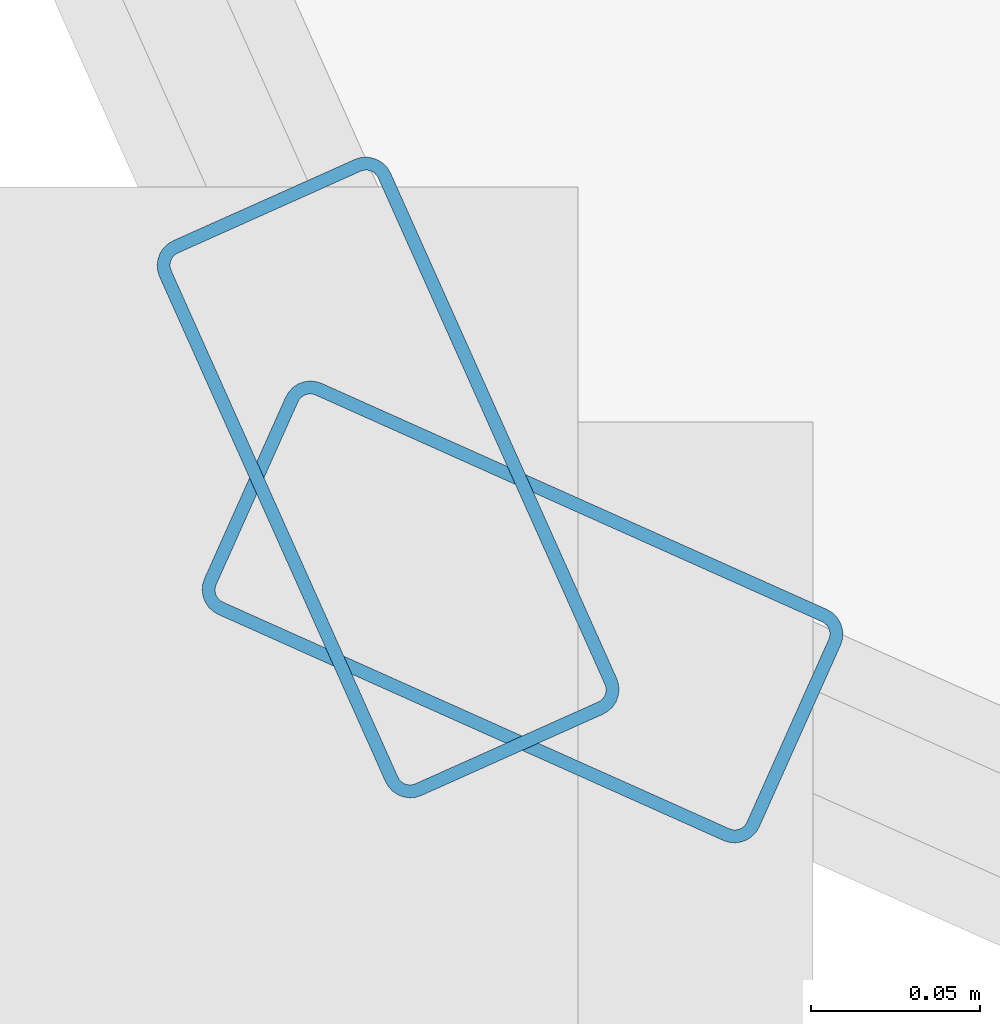
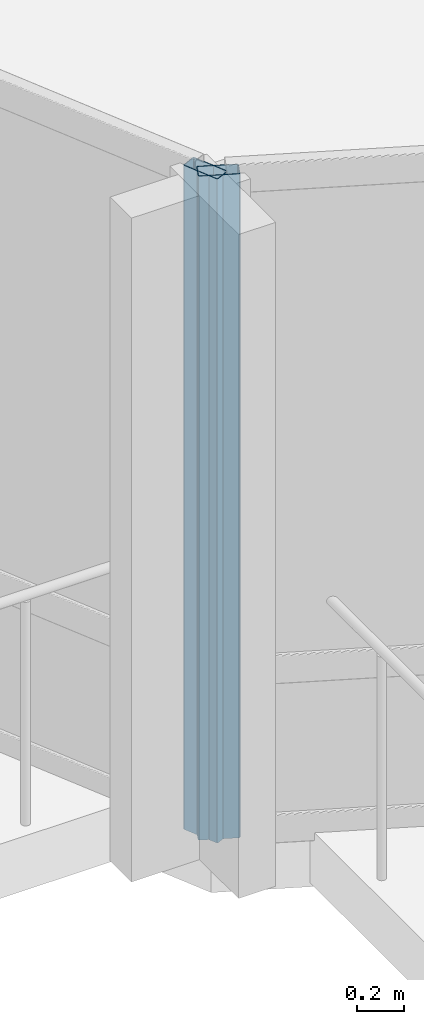
# One storey, part 2 of 19: 2 members, 2 elements without a shape of their own.
"""IFC4 building model written with IfcOpenShell, lengths in metres."""

from ifc_helpers import new_model, si_unit, direction, frame, origin, origin_2d, place, context, subcontext, project, spatial, hollow_rectangle, extrude, material, layer, layer_set, material_profile, profile_set, type_object, element, aggregate, save


model = new_model("IFC4")

# Units and contexts
model_context = context("Model", 3, precision=1e-05, world=origin(), true_north=direction((0.0, 1.0)))
body_context = subcontext(model_context, "Body", "Model", "MODEL_VIEW")
ifc_project = project(units=[si_unit("LENGTHUNIT", "METRE"), si_unit("AREAUNIT", "SQUARE_METRE"), si_unit("VOLUMEUNIT", "CUBIC_METRE"), si_unit("PLANEANGLEUNIT", "RADIAN"), si_unit("MASSUNIT", "GRAM", prefix="KILO")], contexts=[model_context])

# Site, building, storey
site_placement = place(None, origin())
site = spatial("IfcSite", under=ifc_project, at=site_placement, CompositionType="ELEMENT")
building_placement = place(site_placement, origin())
building = spatial("IfcBuilding", under=site, at=building_placement, Name="Solvaryn Broadcast Tower", CompositionType="ELEMENT")
storey_placement = place(building_placement, frame((0.0, 0.0, 251.89990234375)))
storey = spatial("IfcBuildingStorey", under=building, at=storey_placement, Name="L63", CompositionType="ELEMENT", Elevation=251.89990234375)

# Curtain wall, member
ifc_material_1 = material(Name="Aluminium and Terracotta Unitised Curtain Wall", Category="masonry")
ifc_layer = layer(ifc_material_1, 0.199951171875)
ifc_layer_set = layer_set([ifc_layer], Name="CW-SYS2-LOWMID")
curtain_wall_type = type_object("IfcCurtainWallType", Name="CW-SYS2-LOWMID", PredefinedType="NOTDEFINED", material=ifc_layer_set)
curtain_wall_1_placement = place(storey_placement, origin())
curtain_wall_1 = element("IfcCurtainWall", 1, at=curtain_wall_1_placement, inside=storey, type_object=curtain_wall_type, Name="L63 Curtain Wall DR2", PredefinedType="NOTDEFINED")
ifc_material_2 = material(Name="Anodised Aluminium 6063-T6", Category="aluminium")
ifc_material_profile = material_profile(ifc_material_2, hollow_rectangle(XDim=0.074951171875, YDim=0.179931640625, WallThickness=0.00390625, InnerFilletRadius=0.00390625, OuterFilletRadius=0.008056640625, at=origin_2d()))
ifc_profile_set = profile_set([ifc_material_profile], Name="Anodised Aluminium 6063-T6")
member_type = type_object("IfcMemberType", Name="CW-MUL-180", PredefinedType="MULLION", material=ifc_profile_set)
member_1_placement = place(storey_placement, frame((10.8046875, 10.844482421875, 0.0), z_axis=(0.0, 0.0, 1.0), x_axis=(0.912773530574, 0.408466010682, 0.0)))
member_1 = element("IfcMember", 2, at=member_1_placement, type_object=member_type, Name="CWS2 mullion 2", PredefinedType="MULLION", context=body_context, shape_type="SweptSolid", body=[
    extrude(hollow_rectangle(XDim=0.074951171875, YDim=0.179931640625, WallThickness=0.00390625, InnerFilletRadius=0.00390625, OuterFilletRadius=0.008056640625, at=origin_2d()), origin(), (0.0, 0.0, 1.0), 3.420166015625),
])
aggregate(curtain_wall_1, [member_1])

curtain_wall_2_placement = place(storey_placement, origin())
curtain_wall_2 = element("IfcCurtainWall", 3, at=curtain_wall_2_placement, inside=storey, type_object=curtain_wall_type, Name="L63 Curtain Wall DR3", PredefinedType="NOTDEFINED")
member_2_placement = place(storey_placement, frame((10.844482421875, 10.8046875, 0.0), z_axis=(0.0, 0.0, 1.0), x_axis=(0.408466010682, 0.912773530574, 0.0)))
member_2 = element("IfcMember", 4, at=member_2_placement, type_object=member_type, Name="CWS2 mullion 1", PredefinedType="MULLION", context=body_context, shape_type="SweptSolid", body=[
    extrude(hollow_rectangle(XDim=0.074951171875, YDim=0.179931640625, WallThickness=0.00390625, InnerFilletRadius=0.00390625, OuterFilletRadius=0.008056640625, at=origin_2d()), origin(), (0.0, 0.0, 1.0), 3.420166015625),
])
aggregate(curtain_wall_2, [member_2])

save(model, "model.ifc")
